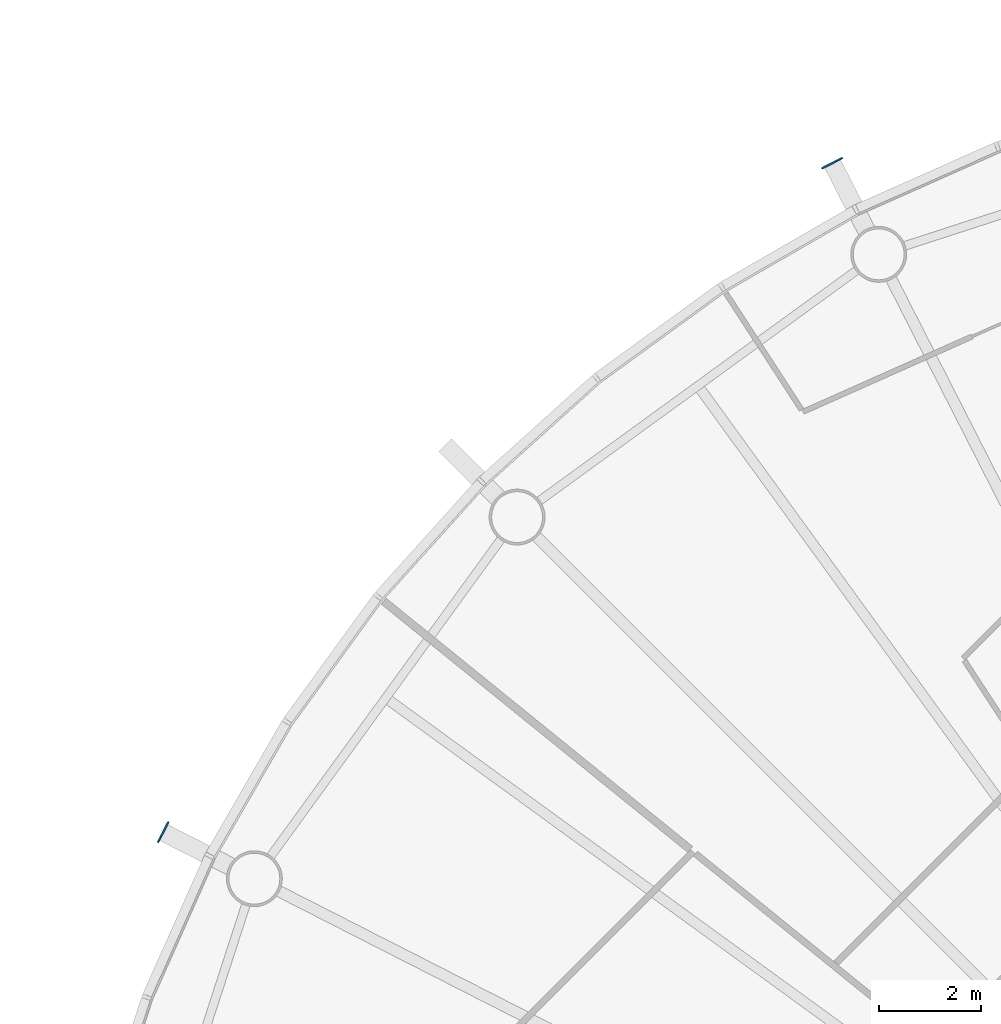
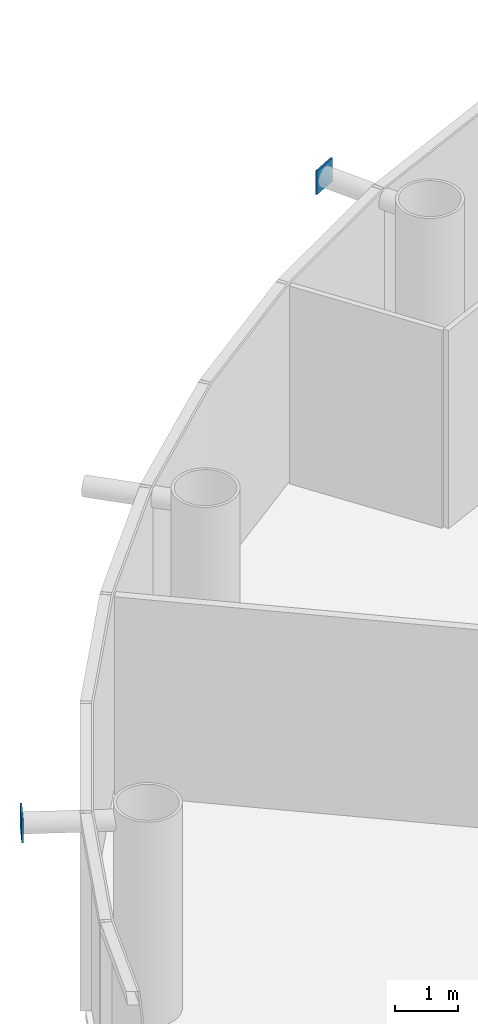
# One storey, part 9 of 17: 2 discrete accessories.
"""IFC4 building model written with IfcOpenShell, lengths in metres."""

from ifc_helpers import new_model, si_unit, direction, frame, origin, origin_2d, place, context, subcontext, project, spatial, rectangle, extrude, material, element, save


model = new_model("IFC4")

# Units and contexts
model_context = context("Model", 3, precision=1e-05, world=origin(), true_north=direction((0.0, 1.0)))
body_context = subcontext(model_context, "Body", "Model", "MODEL_VIEW")
ifc_project = project(units=[si_unit("LENGTHUNIT", "METRE"), si_unit("AREAUNIT", "SQUARE_METRE"), si_unit("VOLUMEUNIT", "CUBIC_METRE"), si_unit("PLANEANGLEUNIT", "RADIAN"), si_unit("MASSUNIT", "GRAM", prefix="KILO")], contexts=[model_context])

# Site, building, storey
site_placement = place(None, origin())
site = spatial("IfcSite", under=ifc_project, at=site_placement, CompositionType="ELEMENT")
building_placement = place(site_placement, origin())
building = spatial("IfcBuilding", under=site, at=building_placement, Name="Entoto Ring Tower", CompositionType="ELEMENT")
storey_placement = place(building_placement, frame((0.0, 0.0, 160.0)))
storey = spatial("IfcBuildingStorey", under=building, at=storey_placement, Name="L36", CompositionType="ELEMENT", Elevation=160.0)

# Discrete accessories
ifc_material = material(Name="Steel S355", Category="steel")
for number, where, z_axis, x_axis, name in (
    (1, (76.328125, 106.832763671875, 3.4443359375), (0.0, 0.0, 1.0), (-0.45399049974, 0.891006524188, 0.0), "Node strut end plate DS1 ring 11 06"),
    (2, (63.167236328125, 93.671875, 3.4443359375), (0.0, 0.0, 1.0), (-0.891006524188, 0.45399049974, 0.0), "Node strut end plate DS1 ring 11 08"),
):
    element("IfcDiscreteAccessory", number, at=place(storey_placement, frame(where, z_axis=z_axis, x_axis=x_axis)), inside=storey, material=ifc_material, Name=name, PredefinedType="BRACKET", context=body_context, shape_type="SweptSolid", body=[
        extrude(rectangle(XDim=0.030029296875, YDim=0.45556640625, at=origin_2d()), origin(), (0.0, 0.0, 1.0), 0.45556640625),
    ])

save(model, "model.ifc")
